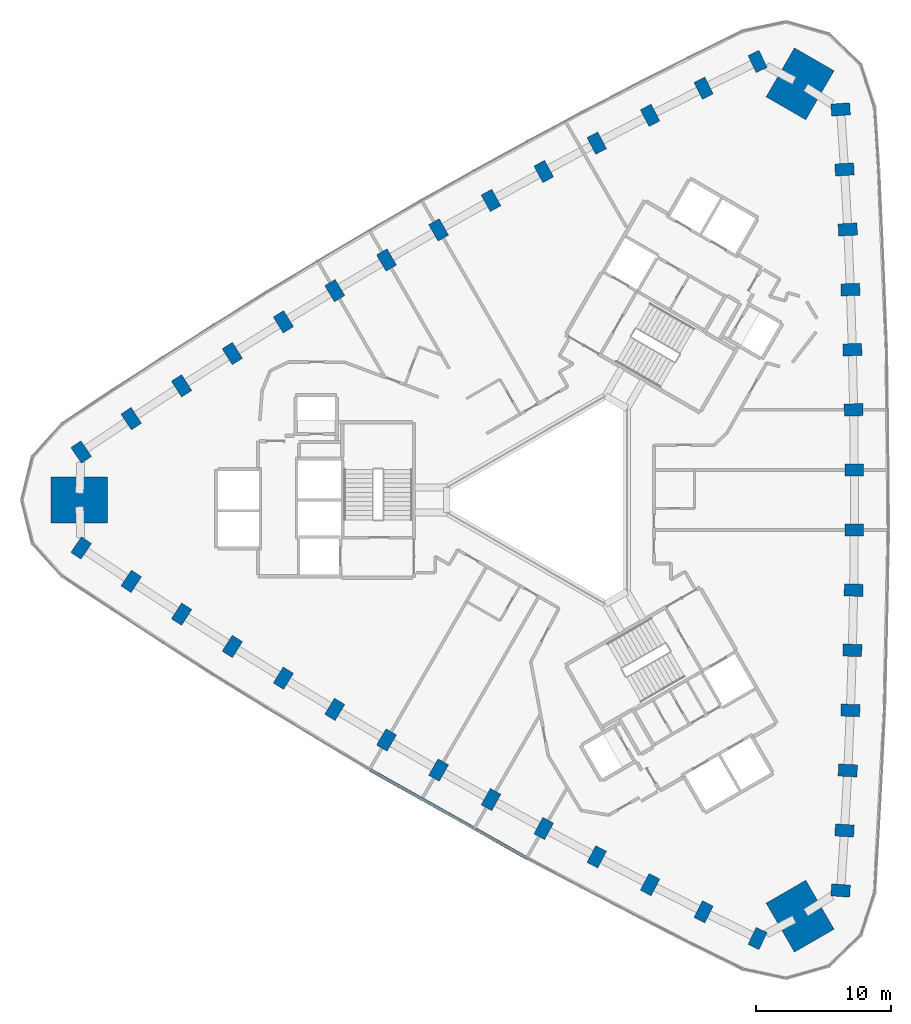
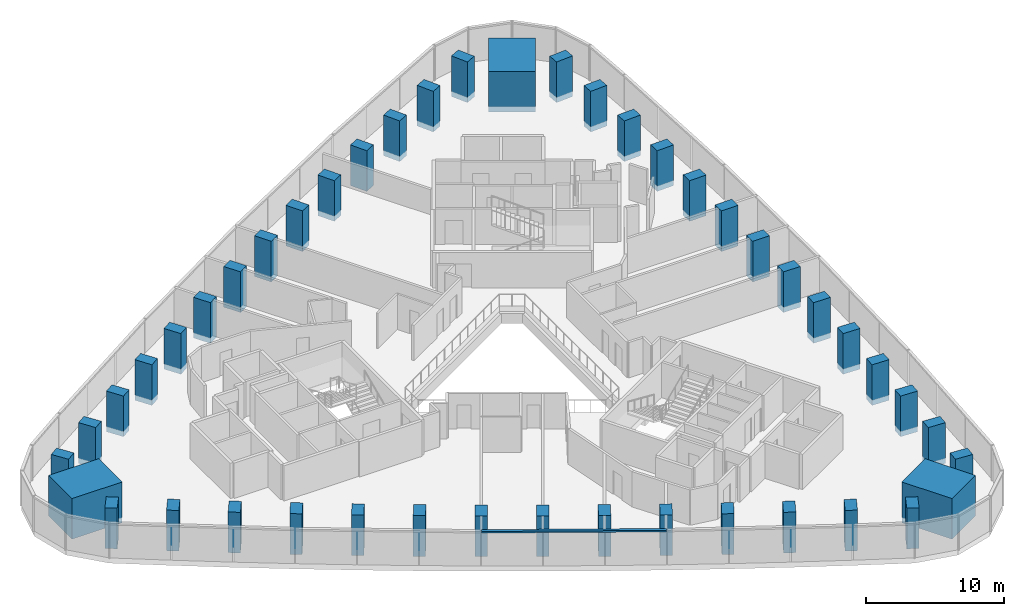
# One storey, part 1 of 13: 45 columns, 1 member, 1 element without a shape of its own.
"""IFC4 building model written with IfcOpenShell, lengths in metres."""

import ifcopenshell
import ifcopenshell.guid

model = None  # the IFC model being written
_history = None  # IfcOwnerHistory: only IFC2X3 demands one
_inside = {}  # id of a spatial element -> (the spatial element, [elements in it])
_under = {}  # id of a project, library or spatial element -> (it, [spatial elements below it])
_declared = {}  # id of a project -> (the project, [libraries it declares])
_typed = {}  # id of a type object -> (the type object, [elements of that type])
_made_of = {}  # id of a material, layer set ... -> (it, [elements and type objects made of it])


def new_model(schema):
    """Start an empty IFC model of exactly this schema.

    Asked for "IFC4X3", IfcOpenShell would pick the latest addendum, in which some entities
    have other attributes; the version numbers below select the first issue.
    IFC2X3 requires an IfcOwnerHistory on every rooted entity: one is made here for all.
    """
    global model, _history
    if schema == "IFC4X3":
        model = ifcopenshell.file(schema_version=(4, 3, 0, 0))
    else:
        model = ifcopenshell.file(schema=schema)
    _inside.clear()
    _under.clear()
    _declared.clear()
    _typed.clear()
    _made_of.clear()
    _history = None
    if model.schema == "IFC2X3":
        org = make("IfcOrganization", Name="unknown")
        user = make(
            "IfcPersonAndOrganization",
            ThePerson=make("IfcPerson", FamilyName="unknown"),
            TheOrganization=org,
        )
        app = make(
            "IfcApplication",
            ApplicationDeveloper=org,
            Version="unknown",
            ApplicationFullName="unknown",
            ApplicationIdentifier="unknown",
        )
        _history = make(
            "IfcOwnerHistory",
            OwningUser=user,
            OwningApplication=app,
            ChangeAction="ADDED",
            CreationDate=0,
        )
    return model


def make(cls, **values):
    """One entity of the class cls with the attributes given. An attribute that is None is left unset."""
    return model.create_entity(
        cls, **{name: value for name, value in values.items() if value is not None}
    )


def rooted(cls, **values):
    """An entity with a GlobalId (a new one), such as an element, a storey or a relation."""
    return make(cls, GlobalId=ifcopenshell.guid.new(), OwnerHistory=_history, **values)


def si_unit(unit_type, name, prefix=None):
    """IfcSIUnit, for example si_unit("LENGTHUNIT", "METRE", prefix="MILLI")."""
    return make("IfcSIUnit", UnitType=unit_type, Prefix=prefix, Name=name)


def assignment(units):
    """IfcUnitAssignment: the units of a project."""
    return None if units is None else make("IfcUnitAssignment", Units=units)


def point(xyz):
    """IfcCartesianPoint."""
    return None if xyz is None else make("IfcCartesianPoint", Coordinates=xyz)


def direction(xyz):
    """IfcDirection."""
    return None if xyz is None else make("IfcDirection", DirectionRatios=xyz)


def frame(location, z_axis=None, x_axis=None):
    """IfcAxis2Placement3D, a coordinate frame: its origin and axes. An axis left out is left unset."""
    return make(
        "IfcAxis2Placement3D",
        Location=point(location),
        Axis=direction(z_axis),
        RefDirection=direction(x_axis),
    )


def frame_2d(location, x_axis=None):
    """IfcAxis2Placement2D, a coordinate frame in the plane: its origin and x axis."""
    return make(
        "IfcAxis2Placement2D", Location=point(location), RefDirection=direction(x_axis)
    )


def origin():
    """The frame at (0, 0, 0) with its axes left unset."""
    return frame((0.0, 0.0, 0.0))


def origin_2d():
    """The frame at (0, 0) in the plane with its x axis left unset."""
    return frame_2d((0.0, 0.0))


def place(relative_to, where):
    """IfcLocalPlacement: puts the frame where relative to a parent placement (None: the world)."""
    return make(
        "IfcLocalPlacement", PlacementRelTo=relative_to, RelativePlacement=where
    )


def context(
    kind, dimensions, precision=None, world=None, true_north=None, identifier=None
):
    """IfcGeometricRepresentationContext, for example the 3D "Model" context."""
    return make(
        "IfcGeometricRepresentationContext",
        ContextIdentifier=identifier,
        ContextType=kind,
        CoordinateSpaceDimension=dimensions,
        Precision=precision,
        WorldCoordinateSystem=world,
        TrueNorth=true_north,
    )


def subcontext(parent, identifier, kind, view, scale=None):
    """IfcGeometricRepresentationSubContext, for example "Body" below "Model"."""
    return make(
        "IfcGeometricRepresentationSubContext",
        ContextIdentifier=identifier,
        ContextType=kind,
        ParentContext=parent,
        TargetScale=scale,
        TargetView=view,
    )


def project(units=None, contexts=None):
    """IfcProject with its units and contexts."""
    return rooted(
        "IfcProject",
        Name="project",
        RepresentationContexts=contexts,
        UnitsInContext=assignment(units),
    )


def spatial(cls, under=None, at=None, **own):
    """A site, building, storey or space (cls), placed at a placement, below another one or the project."""
    s = rooted(cls, ObjectPlacement=at, **own)
    if under is not None:
        _under.setdefault(under.id(), (under, []))[1].append(s)
    return s


def profile(cls, at=None, kind="AREA", **sizes):
    """A parametric profile (cls). Its sizes go by their IFC names, for example OverallWidth=200.0."""
    return make(cls, ProfileType=kind, Position=at, **sizes)


def rectangle(**sizes):
    """IfcRectangleProfileDef."""
    return profile("IfcRectangleProfileDef", **sizes)


def extrude(swept, where, along, depth):
    """IfcExtrudedAreaSolid: the profile swept, set in the frame where, extruded along a direction by depth."""
    return make(
        "IfcExtrudedAreaSolid",
        SweptArea=swept,
        Position=where,
        ExtrudedDirection=direction(along),
        Depth=depth,
    )


def shape(context_of_items, identifier, shape_type, items):
    """IfcShapeRepresentation: the items that make up one representation, for example the "Body"."""
    return make(
        "IfcShapeRepresentation",
        ContextOfItems=context_of_items,
        RepresentationIdentifier=identifier,
        RepresentationType=shape_type,
        Items=items,
    )


def material(Name=None, Category=None):
    """IfcMaterial."""
    return make("IfcMaterial", Name=Name, Category=Category)


def material_profile(
    of_material, cross_section, Name=None, Category=None, Priority=None
):
    """IfcMaterialProfile: a cross section and its material."""
    return make(
        "IfcMaterialProfile",
        Name=Name,
        Material=of_material,
        Profile=cross_section,
        Priority=Priority,
        Category=Category,
    )


def profile_set(profiles, Name=None, composite=None):
    """IfcMaterialProfileSet."""
    return make(
        "IfcMaterialProfileSet",
        Name=Name,
        MaterialProfiles=profiles,
        CompositeProfile=composite,
    )


def made_of(thing, what):
    """Note that an element or type object is made of a material, layer set ...; save() writes the relation."""
    if what is not None:
        _made_of.setdefault(what.id(), (what, []))[1].append(thing)
    return thing


def type_object(cls, material=None, **own):
    """A type object (cls), such as IfcWallType, which elements share."""
    return made_of(rooted(cls, **own), material)


def element(
    cls,
    number,
    at=None,
    inside=None,
    cuts=None,
    type_object=None,
    material=None,
    context=None,
    identifier="Body",
    shape_type=None,
    held_by="IfcProductDefinitionShape",
    body=None,
    shapes=None,
    **own,
):
    """One element of the class cls, such as IfcWall. Its Tag is "e" and its number.

    at: its placement. inside: the storey or other place that contains it. cuts: it is an
    opening in that element (IfcRelVoidsElement). A single representation is given by context,
    identifier, shape_type and body (its items); several are given by shapes. held_by: the class
    of the entity that holds the representations. save() writes the other relations.
    """
    e = rooted(cls, Tag="e%d" % number, ObjectPlacement=at, **own)
    if body is not None:
        shapes = [shape(context, identifier, shape_type, body)]
    if shapes is not None:
        e.Representation = make(held_by, Representations=shapes)
    if inside is not None:
        _inside.setdefault(inside.id(), (inside, []))[1].append(e)
    if cuts is not None:
        rooted(
            "IfcRelVoidsElement", RelatingBuildingElement=cuts, RelatedOpeningElement=e
        )
    if type_object is not None:
        _typed.setdefault(type_object.id(), (type_object, []))[1].append(e)
    return made_of(e, material)


def aggregate(whole, parts):
    """IfcRelAggregates: a whole, such as a stair, and the parts it consists of."""
    return rooted("IfcRelAggregates", RelatingObject=whole, RelatedObjects=parts)


def save(model, path):
    """Write the relations noted so far, then the file.

    IfcRelAggregates (storeys below a building ...), IfcRelContainedInSpatialStructure (elements
    in a storey), IfcRelDefinesByType, IfcRelAssociatesMaterial and IfcRelDeclares: one each for
    every whole, place, type object, material and project.
    """
    for whole, parts in _under.values():
        aggregate(whole, parts)
    for where, things in _inside.values():
        rooted(
            "IfcRelContainedInSpatialStructure",
            RelatedElements=things,
            RelatingStructure=where,
        )
    for kind, things in _typed.values():
        rooted("IfcRelDefinesByType", RelatedObjects=things, RelatingType=kind)
    for what, things in _made_of.values():
        rooted("IfcRelAssociatesMaterial", RelatedObjects=things, RelatingMaterial=what)
    for by, libraries in _declared.values():
        rooted("IfcRelDeclares", RelatingContext=by, RelatedDefinitions=libraries)
    model.write(path)


model = new_model("IFC4")

# Units and contexts
model_context = context("Model", 3, precision=1e-05, world=origin(), true_north=direction((0.0, 1.0)))
body_context = subcontext(model_context, "Body", "Model", "MODEL_VIEW")
ifc_project = project(units=[si_unit("LENGTHUNIT", "METRE"), si_unit("AREAUNIT", "SQUARE_METRE"), si_unit("VOLUMEUNIT", "CUBIC_METRE"), si_unit("PLANEANGLEUNIT", "RADIAN"), si_unit("MASSUNIT", "GRAM", prefix="KILO")], contexts=[model_context])

# Site, building, storey
site_placement = place(None, origin())
site = spatial("IfcSite", under=ifc_project, at=site_placement, CompositionType="ELEMENT")
building_placement = place(site_placement, origin())
building = spatial("IfcBuilding", under=site, at=building_placement, Name="Tamra Quay Hotel Tower", CompositionType="ELEMENT")
storey_placement = place(building_placement, frame((0.0, 0.0, 60.199951171875)))
storey = spatial("IfcBuildingStorey", under=building, at=storey_placement, Name="L13", CompositionType="ELEMENT", Elevation=60.199951171875)

# Columns
ifc_material_1 = material(Name="Concrete M70", Category="concrete")
ifc_material_profile_1 = material_profile(ifc_material_1, rectangle(XDim=1.39990234375, YDim=0.89990234375, at=origin_2d()), Name="COLUMN RC 900x1400 Z1")
ifc_profile_set_1 = profile_set([ifc_material_profile_1], Name="Concrete M70")
column_type_1 = type_object("IfcColumnType", Name="COLUMN RC 900x1400 Z1", PredefinedType="COLUMN", material=ifc_profile_set_1)
for number, where, z_axis, x_axis, name in (
    (1, (20.87890625, -29.033935546875, -0.474853515625), (0.0, 0.0, 1.0), (-0.997561736499, 0.069789554182, 0.0), "COL-C1E01-L13"),
    (2, (21.168701171875, -24.572509765625, -0.474853515625), (0.0, 0.0, 1.0), (-0.998214376921, 0.059733221148, 0.0), "COL-C1E02-L13"),
    (3, (21.410400390625, -20.10888671875, -0.474853515625), (0.0, 0.0, 1.0), (-0.998830734492, 0.048344222345, 0.0), "COL-C1E03-L13"),
    (4, (21.60400390625, -15.642578125, -0.474853515625), (0.0, 0.0, 1.0), (-0.999284860458, 0.037812268629, 0.0), "COL-C1E04-L13"),
    (5, (21.7490234375, -11.17431640625, -0.474853515625), (0.0, 0.0, 1.0), (-0.999628128016, 0.02726913418, 0.0), "COL-C1E05-L13"),
    (6, (21.845947265625, -6.70556640625, -0.474853515625), (0.0, 0.0, 1.0), (-0.999874567832, 0.015838200722, 0.0), "COL-C1E06-L13"),
    (7, (21.894287109375, -2.2353515625, -0.474853515625), (0.0, 0.0, 1.0), (-0.999986062833, 0.00527959646, 0.0), "COL-C1E07-L13"),
    (8, (21.894287109375, 2.2353515625, -0.474853515625), (0.0, 0.0, 1.0), (0.999986062833, 0.00527959646, 0.0), "COL-C1E08-L13"),
    (9, (21.845947265625, 6.70556640625, -0.474853515625), (0.0, 0.0, 1.0), (0.999874567832, 0.015838200722, 0.0), "COL-C1E09-L13"),
    (10, (21.7490234375, 11.17431640625, -0.474853515625), (0.0, 0.0, 1.0), (0.999628128016, 0.02726913418, 0.0), "COL-C1E10-L13"),
    (11, (21.60400390625, 15.642578125, -0.474853515625), (0.0, 0.0, 1.0), (0.999284860458, 0.037812268629, 0.0), "COL-C1E11-L13"),
    (12, (21.410400390625, 20.10888671875, -0.474853515625), (0.0, 0.0, 1.0), (0.998830734492, 0.048344222345, 0.0), "COL-C1E12-L13"),
    (13, (21.168701171875, 24.572509765625, -0.474853515625), (0.0, 0.0, 1.0), (0.998214376921, 0.059733221148, 0.0), "COL-C1E13-L13"),
    (14, (20.87890625, 29.033935546875, -0.474853515625), (0.0, 0.0, 1.0), (0.997561736499, 0.069789554182, 0.0), "COL-C1E14-L13"),
    (15, (14.70458984375, 32.5986328125, -0.474853515625), (0.0, 0.0, 1.0), (-0.438341341409, 0.898808582743, 0.0), "COL-C1NW01-L13"),
    (16, (10.69580078125, 30.618896484375, -0.474853515625), (0.0, 0.0, 1.0), (-0.447376701496, 0.89434561941, 0.0), "COL-C1NW02-L13"),
    (17, (6.709716796875, 28.596435546875, -0.474853515625), (0.0, 0.0, 1.0), (-0.457548042569, 0.889184901323, 0.0), "COL-C1NW03-L13"),
    (18, (2.744873046875, 26.53076171875, -0.474853515625), (0.0, 0.0, 1.0), (-0.466896045022, 0.884312209088, 0.0), "COL-C1NW04-L13"),
    (19, (-1.197265625, 24.422607421875, -0.474853515625), (0.0, 0.0, 1.0), (-0.476198301069, 0.879337920289, 0.0), "COL-C1NW05-L13"),
    (20, (-5.11572265625, 22.27197265625, -0.474853515625), (0.0, 0.0, 1.0), (-0.486220999741, 0.873835876702, 0.0), "COL-C1NW06-L13"),
    (21, (-9.011474609375, 20.07861328125, -0.474853515625), (0.0, 0.0, 1.0), (-0.495420766761, 0.868653132074, 0.0), "COL-C1NW07-L13"),
    (22, (-12.883056640625, 17.843505859375, -0.474853515625), (0.0, 0.0, 1.0), (-0.504565296072, 0.863373535614, 0.0), "COL-C1NW08-L13"),
    (23, (-16.72998046875, 15.56640625, -0.474853515625), (0.0, 0.0, 1.0), (-0.513653568092, 0.85799767598, 0.0), "COL-C1NW09-L13"),
    (24, (-20.552001953125, 13.248046875, -0.474853515625), (0.0, 0.0, 1.0), (-0.523429826947, 0.85206878611, 0.0), "COL-C1NW10-L13"),
    (25, (-24.348876953125, 10.88818359375, -0.474853515625), (0.0, 0.0, 1.0), (-0.532388815436, 0.84649994046, 0.0), "COL-C1NW11-L13"),
    (26, (-28.1201171875, 8.487548828125, -0.474853515625), (0.0, 0.0, 1.0), (-0.541282691923, 0.840840678978, 0.0), "COL-C1NW12-L13"),
    (27, (-31.86474609375, 6.04638671875, -0.474853515625), (0.0, 0.0, 1.0), (-0.550837675425, 0.834612398262, 0.0), "COL-C1NW13-L13"),
    (28, (-35.58349609375, 3.564697265625, -0.474853515625), (0.0, 0.0, 1.0), (-0.55922039509, 0.82901902856, 0.0), "COL-C1NW14-L13"),
    (29, (-35.58349609375, -3.564697265625, -0.474853515625), (0.0, 0.0, 1.0), (0.55922039509, 0.82901902856, 0.0), "COL-C1SW01-L13"),
    (30, (-31.86474609375, -6.04638671875, -0.474853515625), (0.0, 0.0, 1.0), (0.550837675425, 0.834612398262, 0.0), "COL-C1SW02-L13"),
    (31, (-28.1201171875, -8.487548828125, -0.474853515625), (0.0, 0.0, 1.0), (0.541282691923, 0.840840678978, 0.0), "COL-C1SW03-L13"),
    (32, (-24.348876953125, -10.88818359375, -0.474853515625), (0.0, 0.0, 1.0), (0.532388815436, 0.84649994046, 0.0), "COL-C1SW04-L13"),
    (33, (-20.552001953125, -13.248046875, -0.474853515625), (0.0, 0.0, 1.0), (0.523429826947, 0.85206878611, 0.0), "COL-C1SW05-L13"),
    (34, (-16.72998046875, -15.56640625, -0.474853515625), (0.0, 0.0, 1.0), (0.513653568092, 0.85799767598, 0.0), "COL-C1SW06-L13"),
    (35, (-12.883056640625, -17.843505859375, -0.474853515625), (0.0, 0.0, 1.0), (0.504565296072, 0.863373535614, 0.0), "COL-C1SW07-L13"),
    (36, (-9.011474609375, -20.07861328125, -0.474853515625), (0.0, 0.0, 1.0), (0.495420766761, 0.868653132074, 0.0), "COL-C1SW08-L13"),
    (37, (-5.11572265625, -22.27197265625, -0.474853515625), (0.0, 0.0, 1.0), (0.486220999741, 0.873835876702, 0.0), "COL-C1SW09-L13"),
    (38, (-1.197265625, -24.422607421875, -0.474853515625), (0.0, 0.0, 1.0), (0.476198301069, 0.879337920289, 0.0), "COL-C1SW10-L13"),
    (39, (2.744873046875, -26.53076171875, -0.474853515625), (0.0, 0.0, 1.0), (0.466896045022, 0.884312209088, 0.0), "COL-C1SW11-L13"),
    (40, (6.709716796875, -28.596435546875, -0.474853515625), (0.0, 0.0, 1.0), (0.457548042569, 0.889184901323, 0.0), "COL-C1SW12-L13"),
    (41, (10.69580078125, -30.618896484375, -0.474853515625), (0.0, 0.0, 1.0), (0.447376701496, 0.89434561941, 0.0), "COL-C1SW13-L13"),
    (42, (14.70458984375, -32.5986328125, -0.474853515625), (0.0, 0.0, 1.0), (0.438341341409, 0.898808582743, 0.0), "COL-C1SW14-L13"),
):
    element("IfcColumn", number, at=place(storey_placement, frame(where, z_axis=z_axis, x_axis=x_axis)), inside=storey, type_object=column_type_1, Name=name, PredefinedType="COLUMN", context=body_context, shape_type="SweptSolid", body=[
        extrude(rectangle(XDim=1.39990234375, YDim=0.89990234375, at=origin_2d()), origin(), (0.0, 0.0, 1.0), 3.599853515625),
    ])
ifc_material_profile_2 = material_profile(ifc_material_1, rectangle(XDim=4.199951171875, YDim=3.39990234375, at=origin_2d()), Name="MEGA COLUMN RC 3400x4200 Z1")
ifc_profile_set_2 = profile_set([ifc_material_profile_2], Name="Concrete M70")
column_type_2 = type_object("IfcColumnType", Name="MEGA COLUMN RC 3400x4200 Z1", PredefinedType="COLUMN", material=ifc_profile_set_2)
for number, where, z_axis, x_axis, name in (
    (43, (17.864501953125, 30.942138671875, -0.474853515625), (0.0, 0.0, 1.0), (0.5, 0.866025403784, 0.0), "COL-M1NE-L13"),
    (44, (-35.72900390625, 0.0, -0.474853515625), (0.0, 0.0, 1.0), (1.0, 0.0, 0.0), "COL-M1W-L13"),
    (45, (17.864501953125, -30.942138671875, -0.474853515625), (0.0, 0.0, 1.0), (-0.5, 0.866025403784, 0.0), "COL-M1SE-L13"),
):
    element("IfcColumn", number, at=place(storey_placement, frame(where, z_axis=z_axis, x_axis=x_axis)), inside=storey, type_object=column_type_2, Name=name, PredefinedType="COLUMN", context=body_context, shape_type="SweptSolid", body=[
        extrude(rectangle(XDim=4.199951171875, YDim=3.39990234375, at=origin_2d()), origin(), (0.0, 0.0, 1.0), 3.599853515625),
    ])

# Curtain wall, member
ifc_material_2 = material(Name="Aluminium 6063 anodised dark grey", Category="aluminium")
curtain_wall_type = type_object("IfcCurtainWallType", Name="CW3 CURTAIN WALL", PredefinedType="NOTDEFINED", material=ifc_material_2)
curtain_wall_placement = place(storey_placement, origin())
curtain_wall = element("IfcCurtainWall", 46, at=curtain_wall_placement, inside=storey, type_object=curtain_wall_type, Name="CW3 south-west face L13", PredefinedType="NOTDEFINED")
ifc_material_profile_3 = material_profile(ifc_material_2, rectangle(XDim=0.239990234375, YDim=0.139892578125, at=origin_2d()), Name="TRANSOM 240X140")
ifc_profile_set_3 = profile_set([ifc_material_profile_3], Name="Aluminium 6063 anodised dark grey")
member_type = type_object("IfcMemberType", Name="TRANSOM CW3 Z1", PredefinedType="USERDEFINED", material=ifc_profile_set_3)
member_placement = place(storey_placement, frame((-14.119140625, -20.057861328125, 3.054931640625), z_axis=(0.871397788328, -0.490577103518, 0.0), x_axis=(0.490577103518, 0.871397788328, 0.0)))
member = element("IfcMember", 47, at=member_placement, type_object=member_type, Name="CW3 transom L13.SW.7", ObjectType="TRANSOM", PredefinedType="USERDEFINED", context=body_context, shape_type="SweptSolid", body=[
    extrude(rectangle(XDim=0.239990234375, YDim=0.139892578125, at=origin_2d()), origin(), (0.0, 0.0, 1.0), 13.39306640625),
])
aggregate(curtain_wall, [member])

save(model, "model.ifc")
